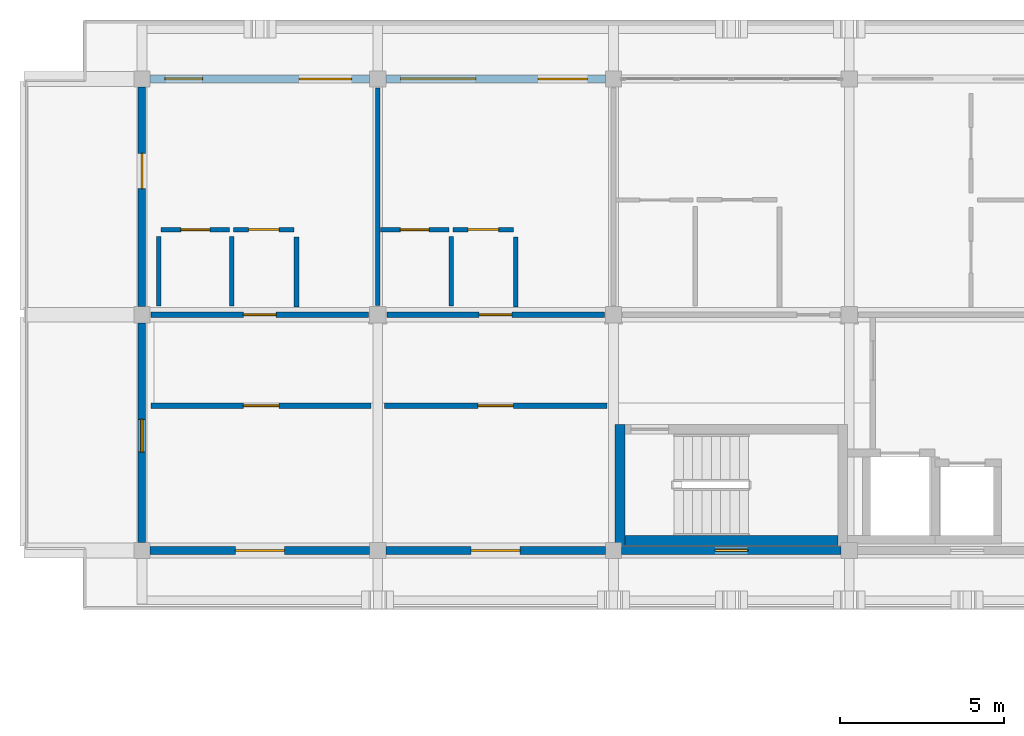
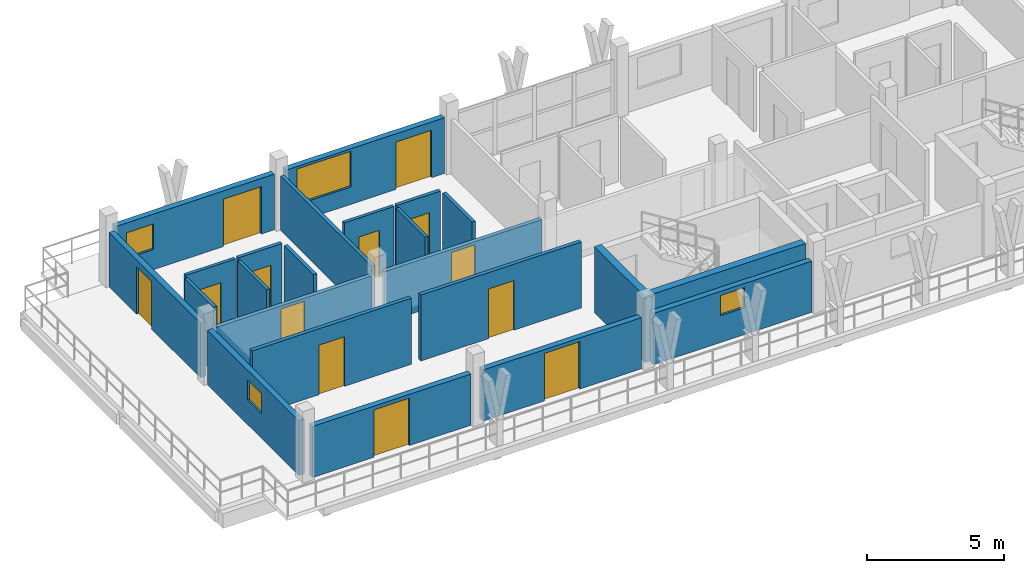
# One storey, part 19 of 32: 23 walls, 13 doors, 4 windows, 17 openings.
"""IFC4 building model written with IfcOpenShell, lengths in metres."""

from ifc_helpers import new_model, si_unit, direction, frame, frame_2d, origin, place, context, subcontext, project, spatial, rectangle, extrude, material, layer, layer_set, type_object, element, fill, save


model = new_model("IFC4")

# Units and contexts
model_context = context("Model", 3, precision=1e-05, world=origin(), true_north=direction((0.0, 1.0)))
body_context = subcontext(model_context, "Body", "Model", "MODEL_VIEW")
ifc_project = project(units=[si_unit("LENGTHUNIT", "METRE"), si_unit("AREAUNIT", "SQUARE_METRE"), si_unit("VOLUMEUNIT", "CUBIC_METRE"), si_unit("PLANEANGLEUNIT", "RADIAN"), si_unit("MASSUNIT", "GRAM", prefix="KILO")], contexts=[model_context])

# Site, building, storey
site_placement = place(None, origin())
site = spatial("IfcSite", under=ifc_project, at=site_placement, CompositionType="ELEMENT")
building_placement = place(site_placement, origin())
building = spatial("IfcBuilding", under=site, at=building_placement, Name="Suanplinth Sawtooth Commons", CompositionType="ELEMENT")
storey_placement = place(building_placement, frame((0.0, 0.0, 41.199951171875)))
storey = spatial("IfcBuildingStorey", under=building, at=storey_placement, Name="L12", CompositionType="ELEMENT", Elevation=41.199951171875)

# Walls
ifc_material_1 = material(Name="Concrete C40/50", Category="concrete")
ifc_layer_1 = layer(ifc_material_1, 0.300048828125, Name="Standard RC stair and lift core wall 300mm")
ifc_layer_set_1 = layer_set([ifc_layer_1], Name="Concrete C40/50")
wall_type_1 = type_object("IfcWallType", Name="W-CR02", PredefinedType="SHEAR", material=ifc_layer_set_1)
wall_1_placement = place(storey_placement, frame((43.550048828125, 108.300048828125, 0.0), z_axis=(0.0, 0.0, 1.0), x_axis=(1.0, 0.0, 0.0)))
element("IfcWall", 1, at=wall_1_placement, inside=storey, type_object=wall_type_1, Name="W-L12-C-A1-STS", PredefinedType="SHEAR", context=body_context, shape_type="SweptSolid", body=[
    extrude(rectangle(XDim=6.5, YDim=0.300048828125, at=frame_2d((3.25, 0.0))), origin(), (0.0, 0.0, 1.0), 2.949951171875),
])
wall_2_placement = place(storey_placement, frame((43.39990234375, 108.14990234375, 0.0), z_axis=(0.0, 0.0, 1.0), x_axis=(0.0, 1.0, 0.0)))
element("IfcWall", 2, at=wall_2_placement, inside=storey, type_object=wall_type_1, Name="W-L12-C-A1-STW", PredefinedType="SHEAR", context=body_context, shape_type="SweptSolid", body=[
    extrude(rectangle(XDim=3.7001953125, YDim=0.300048828125, at=frame_2d((1.85009765625, 0.0))), origin(), (0.0, 0.0, 1.0), 2.949951171875),
])

# Wall, openings, door, window
ifc_material_2 = material(Name="Precast concrete C40/50", Category="concrete")
ifc_layer_2 = layer(ifc_material_2, 0.239990234375, Name="Upper insulated precast facade wall 240mm")
ifc_layer_set_2 = layer_set([ifc_layer_2], Name="Precast concrete C40/50")
wall_type_2 = type_object("IfcWallType", Name="W-EX03", PredefinedType="ELEMENTEDWALL", material=ifc_layer_set_2)
wall_3_placement = place(storey_placement, frame((29.050048828125, 122.39990234375, 0.0), z_axis=(0.0, 0.0, 1.0), x_axis=(1.0, 0.0, 0.0)))
wall_3 = element("IfcWall", 3, at=wall_3_placement, inside=storey, type_object=wall_type_2, Name="Facade Wall W-L12-A-N-0", PredefinedType="ELEMENTEDWALL", context=body_context, shape_type="SweptSolid", body=[
    extrude(rectangle(XDim=6.699951171875, YDim=0.239990234375, at=frame_2d((3.35009765625, 0.0))), origin(), (0.0, 0.0, 1.0), 2.485107421875),
])
opening_1_placement = place(wall_3_placement, frame((4.550048828125, 0.0, 0.0)))
opening_1 = element("IfcOpeningElement", 4, at=opening_1_placement, cuts=wall_3, Name="Opening ED0807", PredefinedType="OPENING", context=body_context, shape_type="SweptSolid", body=[
    extrude(rectangle(XDim=1.60009765625, YDim=2.1201171875, at=frame_2d((0.800048828125, 1.06005859375))), frame((0.0, 0.134765625, 0.0), z_axis=(0.0, -1.0, 0.0), x_axis=(1.0, 0.0, 0.0)), (0.0, 0.0, 1.0), 0.269775390625),
])
opening_2_placement = place(wall_3_placement, frame((0.449951171875, 0.0, 0.89990234375)))
opening_2 = element("IfcOpeningElement", 5, at=opening_2_placement, cuts=wall_3, Name="Opening W0889", PredefinedType="OPENING", context=body_context, shape_type="SweptSolid", body=[
    extrude(rectangle(XDim=1.14990234375, YDim=1.14990234375, at=frame_2d((0.574951171875, 0.574951171875))), frame((0.0, 0.134765625, 0.0), z_axis=(0.0, -1.0, 0.0), x_axis=(1.0, 0.0, 0.0)), (0.0, 0.0, 1.0), 0.269775390625),
])
ifc_material_3 = material(Name="Anodized aluminium and low-E glass", Category="aluminium")
door_type_1 = type_object("IfcDoorType", Name="SD-02", OperationType="SLIDING_TO_RIGHT", PredefinedType="DOOR", material=ifc_material_3)
door_1_placement = place(opening_1_placement, frame((1.60009765625, 0.0, 0.0), z_axis=(0.0, 0.0, 1.0), x_axis=(-1.0, 0.0, 0.0)))
door_1 = element("IfcDoor", 6, at=door_1_placement, inside=storey, type_object=door_type_1, Name="Balcony Sliding Door L12-A-N-0", OperationType="SLIDING_TO_RIGHT", OverallHeight=2.1201171875, OverallWidth=1.60009765625, PredefinedType="DOOR", context=body_context, shape_type="SweptSolid", body=[
    extrude(rectangle(XDim=1.60009765625, YDim=2.1201171875, at=frame_2d((0.800048828125, 1.06005859375))), frame((0.0, 0.02490234375, 0.0), z_axis=(0.0, -1.0, 0.0), x_axis=(1.0, 0.0, 0.0)), (0.0, 0.0, 1.0), 0.050048828125),
])
fill(opening_1, door_1)
ifc_material_4 = material(Name="Thermally broken aluminium and low-E double glazing", Category="aluminium")
window_type_1 = type_object("IfcWindowType", Name="WN-20", PartitioningType="SINGLE_PANEL", PredefinedType="WINDOW", material=ifc_material_4)
window_1_placement = place(opening_2_placement, origin())
window_1 = element("IfcWindow", 7, at=window_1_placement, inside=storey, type_object=window_type_1, Name="Window L12-A-N-0", OverallHeight=1.14990234375, OverallWidth=1.14990234375, PartitioningType="SINGLE_PANEL", PredefinedType="WINDOW", context=body_context, shape_type="SweptSolid", body=[
    extrude(rectangle(XDim=1.14990234375, YDim=1.14990234375, at=frame_2d((0.574951171875, 0.574951171875))), frame((0.0, 0.030029296875, 0.0), z_axis=(0.0, -1.0, 0.0), x_axis=(1.0, 0.0, 0.0)), (0.0, 0.0, 1.0), 0.06005859375),
])
fill(opening_2, window_1)

# Wall, opening, door
wall_4_placement = place(storey_placement, frame((29.050048828125, 108.0, 0.0), z_axis=(0.0, 0.0, 1.0), x_axis=(1.0, 0.0, 0.0)))
wall_4 = element("IfcWall", 8, at=wall_4_placement, inside=storey, type_object=wall_type_2, Name="Courtyard Wall W-L12-A-S-0", PredefinedType="ELEMENTEDWALL", context=body_context, shape_type="SweptSolid", body=[
    extrude(rectangle(XDim=6.699951171875, YDim=0.239990234375, at=frame_2d((3.35009765625, 0.0))), origin(), (0.0, 0.0, 1.0), 2.28515625),
])
opening_3_placement = place(wall_4_placement, frame((2.60009765625, 0.0, 0.0)))
opening_3 = element("IfcOpeningElement", 9, at=opening_3_placement, cuts=wall_4, Name="Opening ED0808", PredefinedType="OPENING", context=body_context, shape_type="SweptSolid", body=[
    extrude(rectangle(XDim=1.5, YDim=2.1201171875, at=frame_2d((0.75, 1.06005859375))), frame((0.0, 0.134765625, 0.0), z_axis=(0.0, -1.0, 0.0), x_axis=(1.0, 0.0, 0.0)), (0.0, 0.0, 1.0), 0.269775390625),
])
door_type_2 = type_object("IfcDoorType", Name="SD-03", OperationType="SLIDING_TO_LEFT", PredefinedType="DOOR", material=ifc_material_3)
door_2_placement = place(opening_3_placement, frame((1.5, 0.0, 0.0), z_axis=(0.0, 0.0, 1.0), x_axis=(-1.0, 0.0, 0.0)))
door_2 = element("IfcDoor", 10, at=door_2_placement, inside=storey, type_object=door_type_2, Name="Courtyard Balcony Sliding Door L12-A-S-0", OperationType="SLIDING_TO_LEFT", OverallHeight=2.1201171875, OverallWidth=1.5, PredefinedType="DOOR", context=body_context, shape_type="SweptSolid", body=[
    extrude(rectangle(XDim=1.5, YDim=2.1201171875, at=frame_2d((0.75, 1.06005859375))), frame((0.0, 0.02490234375, 0.0), z_axis=(0.0, -1.0, 0.0), x_axis=(1.0, 0.0, 0.0)), (0.0, 0.0, 1.0), 0.050048828125),
])
fill(opening_3, door_2)

# Wall, openings, door, window
wall_5_placement = place(storey_placement, frame((36.25, 122.39990234375, 0.0), z_axis=(0.0, 0.0, 1.0), x_axis=(1.0, 0.0, 0.0)))
wall_5 = element("IfcWall", 11, at=wall_5_placement, inside=storey, type_object=wall_type_2, Name="Facade Wall W-L12-A-N-1", PredefinedType="ELEMENTEDWALL", context=body_context, shape_type="SweptSolid", body=[
    extrude(rectangle(XDim=6.699951171875, YDim=0.239990234375, at=frame_2d((3.35009765625, 0.0))), origin(), (0.0, 0.0, 1.0), 2.485107421875),
])
opening_4_placement = place(wall_5_placement, frame((4.64990234375, 0.0, 0.0)))
opening_4 = element("IfcOpeningElement", 12, at=opening_4_placement, cuts=wall_5, Name="Opening ED0809", PredefinedType="OPENING", context=body_context, shape_type="SweptSolid", body=[
    extrude(rectangle(XDim=1.5, YDim=2.1201171875, at=frame_2d((0.75, 1.06005859375))), frame((0.0, 0.134765625, 0.0), z_axis=(0.0, -1.0, 0.0), x_axis=(1.0, 0.0, 0.0)), (0.0, 0.0, 1.0), 0.269775390625),
])
opening_5_placement = place(wall_5_placement, frame((0.449951171875, 0.0, 0.77490234375)))
opening_5 = element("IfcOpeningElement", 13, at=opening_5_placement, cuts=wall_5, Name="Opening W0890", PredefinedType="OPENING", context=body_context, shape_type="SweptSolid", body=[
    extrude(rectangle(XDim=2.300048828125, YDim=1.60009765625, at=frame_2d((1.14990234375, 0.800048828125))), frame((0.0, 0.134765625, 0.0), z_axis=(0.0, -1.0, 0.0), x_axis=(1.0, 0.0, 0.0)), (0.0, 0.0, 1.0), 0.269775390625),
])
door_3_placement = place(opening_4_placement, frame((1.5, 0.0, 0.0), z_axis=(0.0, 0.0, 1.0), x_axis=(-1.0, 0.0, 0.0)))
door_3 = element("IfcDoor", 14, at=door_3_placement, inside=storey, type_object=door_type_2, Name="Balcony Sliding Door L12-A-N-1", OperationType="SLIDING_TO_LEFT", OverallHeight=2.1201171875, OverallWidth=1.5, PredefinedType="DOOR", context=body_context, shape_type="SweptSolid", body=[
    extrude(rectangle(XDim=1.5, YDim=2.1201171875, at=frame_2d((0.75, 1.06005859375))), frame((0.0, 0.02490234375, 0.0), z_axis=(0.0, -1.0, 0.0), x_axis=(1.0, 0.0, 0.0)), (0.0, 0.0, 1.0), 0.050048828125),
])
fill(opening_4, door_3)
window_type_2 = type_object("IfcWindowType", Name="WN-21", PartitioningType="TRIPLE_PANEL_VERTICAL", PredefinedType="WINDOW", material=ifc_material_4)
window_2_placement = place(opening_5_placement, origin())
window_2 = element("IfcWindow", 15, at=window_2_placement, inside=storey, type_object=window_type_2, Name="Window L12-A-N-1", OverallHeight=1.60009765625, OverallWidth=2.300048828125, PartitioningType="TRIPLE_PANEL_VERTICAL", PredefinedType="WINDOW", context=body_context, shape_type="SweptSolid", body=[
    extrude(rectangle(XDim=2.300048828125, YDim=1.60009765625, at=frame_2d((1.14990234375, 0.800048828125))), frame((0.0, 0.030029296875, 0.0), z_axis=(0.0, -1.0, 0.0), x_axis=(1.0, 0.0, 0.0)), (0.0, 0.0, 1.0), 0.06005859375),
])
fill(opening_5, window_2)

# Wall, opening, door
wall_6_placement = place(storey_placement, frame((36.25, 108.0, 0.0), z_axis=(0.0, 0.0, 1.0), x_axis=(1.0, 0.0, 0.0)))
wall_6 = element("IfcWall", 16, at=wall_6_placement, inside=storey, type_object=wall_type_2, Name="Courtyard Wall W-L12-A-S-1", PredefinedType="ELEMENTEDWALL", context=body_context, shape_type="SweptSolid", body=[
    extrude(rectangle(XDim=6.699951171875, YDim=0.239990234375, at=frame_2d((3.35009765625, 0.0))), origin(), (0.0, 0.0, 1.0), 2.28515625),
])
opening_6_placement = place(wall_6_placement, frame((2.60009765625, 0.0, 0.0)))
opening_6 = element("IfcOpeningElement", 17, at=opening_6_placement, cuts=wall_6, Name="Opening ED0810", PredefinedType="OPENING", context=body_context, shape_type="SweptSolid", body=[
    extrude(rectangle(XDim=1.5, YDim=2.1201171875, at=frame_2d((0.75, 1.06005859375))), frame((0.0, 0.134765625, 0.0), z_axis=(0.0, -1.0, 0.0), x_axis=(1.0, 0.0, 0.0)), (0.0, 0.0, 1.0), 0.269775390625),
])
door_4_placement = place(opening_6_placement, frame((1.5, 0.0, 0.0), z_axis=(0.0, 0.0, 1.0), x_axis=(-1.0, 0.0, 0.0)))
door_4 = element("IfcDoor", 18, at=door_4_placement, inside=storey, type_object=door_type_2, Name="Courtyard Balcony Sliding Door L12-A-S-1", OperationType="SLIDING_TO_LEFT", OverallHeight=2.1201171875, OverallWidth=1.5, PredefinedType="DOOR", context=body_context, shape_type="SweptSolid", body=[
    extrude(rectangle(XDim=1.5, YDim=2.1201171875, at=frame_2d((0.75, 1.06005859375))), frame((0.0, 0.02490234375, 0.0), z_axis=(0.0, -1.0, 0.0), x_axis=(1.0, 0.0, 0.0)), (0.0, 0.0, 1.0), 0.050048828125),
])
fill(opening_6, door_4)

# Wall, opening, window
wall_7_placement = place(storey_placement, frame((43.449951171875, 108.0, 0.0), z_axis=(0.0, 0.0, 1.0), x_axis=(1.0, 0.0, 0.0)))
wall_7 = element("IfcWall", 19, at=wall_7_placement, inside=storey, type_object=wall_type_2, Name="Courtyard Wall W-L12-A-S-2", PredefinedType="ELEMENTEDWALL", context=body_context, shape_type="SweptSolid", body=[
    extrude(rectangle(XDim=6.699951171875, YDim=0.239990234375, at=frame_2d((3.35009765625, 0.0))), origin(), (0.0, 0.0, 1.0), 2.28515625),
])
opening_7_placement = place(wall_7_placement, frame((2.85009765625, 0.0, 1.199951171875)))
opening_7 = element("IfcOpeningElement", 20, at=opening_7_placement, cuts=wall_7, Name="Opening W0891", PredefinedType="OPENING", context=body_context, shape_type="SweptSolid", body=[
    extrude(rectangle(XDim=1.0, YDim=0.89990234375, at=frame_2d((0.5, 0.449951171875))), frame((0.0, 0.134765625, 0.0), z_axis=(0.0, -1.0, 0.0), x_axis=(1.0, 0.0, 0.0)), (0.0, 0.0, 1.0), 0.269775390625),
])
window_type_3 = type_object("IfcWindowType", Name="WN-12", PartitioningType="SINGLE_PANEL", PredefinedType="WINDOW", material=ifc_material_4)
window_3_placement = place(opening_7_placement, origin())
window_3 = element("IfcWindow", 21, at=window_3_placement, inside=storey, type_object=window_type_3, Name="Core Daylight Window L12-A-2", OverallHeight=0.89990234375, OverallWidth=1.0, PartitioningType="SINGLE_PANEL", PredefinedType="WINDOW", context=body_context, shape_type="SweptSolid", body=[
    extrude(rectangle(XDim=1.0, YDim=0.89990234375, at=frame_2d((0.5, 0.449951171875))), frame((0.0, 0.030029296875, 0.0), z_axis=(0.0, -1.0, 0.0), x_axis=(1.0, 0.0, 0.0)), (0.0, 0.0, 1.0), 0.06005859375),
])
fill(opening_7, window_3)

ifc_layer_3 = layer(ifc_material_2, 0.22998046875, Name="Stepped terrace insulated precast wall 230mm")
ifc_layer_set_3 = layer_set([ifc_layer_3], Name="Precast concrete C40/50")
wall_type_3 = type_object("IfcWallType", Name="W-EX06", PredefinedType="ELEMENTEDWALL", material=ifc_layer_set_3)
wall_8_placement = place(storey_placement, frame((28.800048828125, 108.25, 0.0), z_axis=(0.0, 0.0, 1.0), x_axis=(0.0, 1.0, 0.0)))
wall_8 = element("IfcWall", 22, at=wall_8_placement, inside=storey, type_object=wall_type_3, Name="End Wall W-L12-A-W-15", PredefinedType="ELEMENTEDWALL", context=body_context, shape_type="SweptSolid", body=[
    extrude(rectangle(XDim=6.699951171875, YDim=0.22998046875, at=frame_2d((3.35009765625, 0.0))), origin(), (0.0, 0.0, 1.0), 2.43505859375),
])
opening_8_placement = place(wall_8_placement, frame((2.75, 0.0, 1.10009765625)))
opening_8 = element("IfcOpeningElement", 23, at=opening_8_placement, cuts=wall_8, Name="Opening W0899", PredefinedType="OPENING", context=body_context, shape_type="SweptSolid", body=[
    extrude(rectangle(XDim=1.0, YDim=0.89990234375, at=frame_2d((0.5, 0.449951171875))), frame((0.0, 0.1298828125, 0.0), z_axis=(0.0, -1.0, 0.0), x_axis=(1.0, 0.0, 0.0)), (0.0, 0.0, 1.0), 0.259765625),
])
window_4_placement = place(opening_8_placement, origin())
window_4 = element("IfcWindow", 24, at=window_4_placement, inside=storey, type_object=window_type_3, Name="End Window L12-A-W-15", OverallHeight=0.89990234375, OverallWidth=1.0, PartitioningType="SINGLE_PANEL", PredefinedType="WINDOW", context=body_context, shape_type="SweptSolid", body=[
    extrude(rectangle(XDim=1.0, YDim=0.89990234375, at=frame_2d((0.5, 0.449951171875))), frame((0.0, 0.030029296875, 0.0), z_axis=(0.0, -1.0, 0.0), x_axis=(1.0, 0.0, 0.0)), (0.0, 0.0, 1.0), 0.06005859375),
])
fill(opening_8, window_4)

# Wall, opening, door
wall_9_placement = place(storey_placement, frame((28.800048828125, 115.449951171875, 0.0), z_axis=(0.0, 0.0, 1.0), x_axis=(0.0, 1.0, 0.0)))
wall_9 = element("IfcWall", 25, at=wall_9_placement, inside=storey, type_object=wall_type_3, Name="End Wall W-L12-A-W-16", PredefinedType="ELEMENTEDWALL", context=body_context, shape_type="SweptSolid", body=[
    extrude(rectangle(XDim=6.699951171875, YDim=0.22998046875, at=frame_2d((3.35009765625, 0.0))), origin(), (0.0, 0.0, 1.0), 2.43505859375),
])
opening_9_placement = place(wall_9_placement, frame((3.60009765625, 0.0, 0.0)))
opening_9 = element("IfcOpeningElement", 26, at=opening_9_placement, cuts=wall_9, Name="Opening ED0817", PredefinedType="OPENING", context=body_context, shape_type="SweptSolid", body=[
    extrude(rectangle(XDim=1.080078125, YDim=2.1201171875, at=frame_2d((0.5400390625, 1.06005859375))), frame((0.0, 0.1298828125, 0.0), z_axis=(0.0, -1.0, 0.0), x_axis=(1.0, 0.0, 0.0)), (0.0, 0.0, 1.0), 0.259765625),
])
door_type_3 = type_object("IfcDoorType", Name="ED-10", OperationType="NOTDEFINED", PredefinedType="DOOR", material=ifc_material_3)
door_5_placement = place(opening_9_placement, frame((1.080078125, 0.0, 0.0), z_axis=(0.0, 0.0, 1.0), x_axis=(-1.0, 0.0, 0.0)))
door_5 = element("IfcDoor", 27, at=door_5_placement, inside=storey, type_object=door_type_3, Name="L12 Block A W Stepped Terrace Door", OperationType="SINGLE_SWING_RIGHT", OverallHeight=2.1201171875, OverallWidth=1.080078125, PredefinedType="DOOR", context=body_context, shape_type="SweptSolid", body=[
    extrude(rectangle(XDim=1.080078125, YDim=2.1201171875, at=frame_2d((0.5400390625, 1.06005859375))), frame((0.0, 0.02490234375, 0.0), z_axis=(0.0, -1.0, 0.0), x_axis=(1.0, 0.0, 0.0)), (0.0, 0.0, 1.0), 0.050048828125),
])
fill(opening_9, door_5)

ifc_layer_4 = layer(ifc_material_2, 0.159912109375, Name="Fire-rated corridor and lobby wall 160mm")
ifc_layer_set_4 = layer_set([ifc_layer_4], Name="Precast concrete C40/50")
wall_type_4 = type_object("IfcWallType", Name="W-FW01", PredefinedType="PARTITIONING", material=ifc_layer_set_4)
wall_10_placement = place(storey_placement, frame((29.080078125, 115.199951171875, 0.0), z_axis=(0.0, 0.0, 1.0), x_axis=(1.0, 0.0, 0.0)))
wall_10 = element("IfcWall", 28, at=wall_10_placement, inside=storey, type_object=wall_type_4, Name="W-A-L12-U01-COR", PredefinedType="PARTITIONING", context=body_context, shape_type="SweptSolid", body=[
    extrude(rectangle(XDim=6.639892578125, YDim=0.159912109375, at=frame_2d((3.31982421875, 0.0))), origin(), (0.0, 0.0, 1.0), 2.28515625),
])
opening_10_placement = place(wall_10_placement, frame((2.820068359375, 0.0, 0.0)))
opening_10 = element("IfcOpeningElement", 29, at=opening_10_placement, cuts=wall_10, Name="Opening FD1983", PredefinedType="OPENING", context=body_context, shape_type="SweptSolid", body=[
    extrude(rectangle(XDim=1.0, YDim=2.14990234375, at=frame_2d((0.5, 1.074951171875))), frame((0.0, 0.0947265625, 0.0), z_axis=(0.0, -1.0, 0.0), x_axis=(1.0, 0.0, 0.0)), (0.0, 0.0, 1.0), 0.189697265625),
])
ifc_material_5 = material(Name="Teak hardwood fire-rated door assembly", Category="wood")
door_type_4 = type_object("IfcDoorType", Name="FD-03", OperationType="NOTDEFINED", PredefinedType="DOOR", material=ifc_material_5)
door_6_placement = place(opening_10_placement, origin())
door_6 = element("IfcDoor", 30, at=door_6_placement, inside=storey, type_object=door_type_4, Name="Unit Entrance Door FD1983", OperationType="SINGLE_SWING_LEFT", OverallHeight=2.14990234375, OverallWidth=1.0, PredefinedType="DOOR", context=body_context, shape_type="SweptSolid", body=[
    extrude(rectangle(XDim=1.0, YDim=2.14990234375, at=frame_2d((0.5, 1.074951171875))), frame((0.0, 0.02490234375, 0.0), z_axis=(0.0, -1.0, 0.0), x_axis=(1.0, 0.0, 0.0)), (0.0, 0.0, 1.0), 0.050048828125),
])
fill(opening_10, door_6)

wall_11_placement = place(storey_placement, frame((36.280029296875, 115.199951171875, 0.0), z_axis=(0.0, 0.0, 1.0), x_axis=(1.0, 0.0, 0.0)))
wall_11 = element("IfcWall", 31, at=wall_11_placement, inside=storey, type_object=wall_type_4, Name="W-A-L12-U02-COR", PredefinedType="PARTITIONING", context=body_context, shape_type="SweptSolid", body=[
    extrude(rectangle(XDim=6.639892578125, YDim=0.159912109375, at=frame_2d((3.31982421875, 0.0))), origin(), (0.0, 0.0, 1.0), 2.28515625),
])
opening_11_placement = place(wall_11_placement, frame((2.820068359375, 0.0, 0.0)))
opening_11 = element("IfcOpeningElement", 32, at=opening_11_placement, cuts=wall_11, Name="Opening FD1986", PredefinedType="OPENING", context=body_context, shape_type="SweptSolid", body=[
    extrude(rectangle(XDim=1.0, YDim=2.14990234375, at=frame_2d((0.5, 1.074951171875))), frame((0.0, 0.0947265625, 0.0), z_axis=(0.0, -1.0, 0.0), x_axis=(1.0, 0.0, 0.0)), (0.0, 0.0, 1.0), 0.189697265625),
])
door_7_placement = place(opening_11_placement, origin())
door_7 = element("IfcDoor", 33, at=door_7_placement, inside=storey, type_object=door_type_4, Name="Unit Entrance Door FD1986", OperationType="SINGLE_SWING_RIGHT", OverallHeight=2.14990234375, OverallWidth=1.0, PredefinedType="DOOR", context=body_context, shape_type="SweptSolid", body=[
    extrude(rectangle(XDim=1.0, YDim=2.14990234375, at=frame_2d((0.5, 1.074951171875))), frame((0.0, 0.02490234375, 0.0), z_axis=(0.0, -1.0, 0.0), x_axis=(1.0, 0.0, 0.0)), (0.0, 0.0, 1.0), 0.050048828125),
])
fill(opening_11, door_7)

wall_12_placement = place(storey_placement, frame((29.080078125, 112.419921875, 0.0), z_axis=(0.0, 0.0, 1.0), x_axis=(1.0, 0.0, 0.0)))
wall_12 = element("IfcWall", 34, at=wall_12_placement, inside=storey, type_object=wall_type_4, Name="W-A-L12-COURTROOM-7-COR", PredefinedType="PARTITIONING", context=body_context, shape_type="SweptSolid", body=[
    extrude(rectangle(XDim=6.719970703125, YDim=0.159912109375, at=frame_2d((3.35986328125, 0.0))), origin(), (0.0, 0.0, 1.0), 2.949951171875),
])
opening_12_placement = place(wall_12_placement, frame((2.820068359375, 0.0, 0.0)))
opening_12 = element("IfcOpeningElement", 35, at=opening_12_placement, cuts=wall_12, Name="Opening D2006", PredefinedType="OPENING", context=body_context, shape_type="SweptSolid", body=[
    extrude(rectangle(XDim=1.080078125, YDim=2.219970703125, at=frame_2d((0.5400390625, 1.10986328125))), frame((0.0, 0.0947265625, 0.0), z_axis=(0.0, -1.0, 0.0), x_axis=(1.0, 0.0, 0.0)), (0.0, 0.0, 1.0), 0.189697265625),
])
ifc_material_6 = material(Name="Teak hardwood", Category="wood")
door_type_5 = type_object("IfcDoorType", Name="D-17", OperationType="NOTDEFINED", PredefinedType="DOOR", material=ifc_material_6)
door_8_placement = place(opening_12_placement, frame((1.080078125, 0.0, 0.0), z_axis=(0.0, 0.0, 1.0), x_axis=(-1.0, 0.0, 0.0)))
door_8 = element("IfcDoor", 36, at=door_8_placement, inside=storey, type_object=door_type_5, Name="Study Studio Door D2006", OperationType="SINGLE_SWING_RIGHT", OverallHeight=2.219970703125, OverallWidth=1.080078125, PredefinedType="DOOR", context=body_context, shape_type="SweptSolid", body=[
    extrude(rectangle(XDim=1.080078125, YDim=2.219970703125, at=frame_2d((0.5400390625, 1.10986328125))), frame((0.0, 0.02490234375, 0.0), z_axis=(0.0, -1.0, 0.0), x_axis=(1.0, 0.0, 0.0)), (0.0, 0.0, 1.0), 0.050048828125),
])
fill(opening_12, door_8)

wall_13_placement = place(storey_placement, frame((36.199951171875, 112.419921875, 0.0), z_axis=(0.0, 0.0, 1.0), x_axis=(1.0, 0.0, 0.0)))
wall_13 = element("IfcWall", 37, at=wall_13_placement, inside=storey, type_object=wall_type_4, Name="W-A-L12-COURTROOM-8-COR", PredefinedType="PARTITIONING", context=body_context, shape_type="SweptSolid", body=[
    extrude(rectangle(XDim=6.800048828125, YDim=0.159912109375, at=frame_2d((3.39990234375, 0.0))), origin(), (0.0, 0.0, 1.0), 2.949951171875),
])
opening_13_placement = place(wall_13_placement, frame((2.860107421875, 0.0, 0.0)))
opening_13 = element("IfcOpeningElement", 38, at=opening_13_placement, cuts=wall_13, Name="Opening D2007", PredefinedType="OPENING", context=body_context, shape_type="SweptSolid", body=[
    extrude(rectangle(XDim=1.080078125, YDim=2.219970703125, at=frame_2d((0.5400390625, 1.10986328125))), frame((0.0, 0.0947265625, 0.0), z_axis=(0.0, -1.0, 0.0), x_axis=(1.0, 0.0, 0.0)), (0.0, 0.0, 1.0), 0.189697265625),
])
door_9_placement = place(opening_13_placement, frame((1.080078125, 0.0, 0.0), z_axis=(0.0, 0.0, 1.0), x_axis=(-1.0, 0.0, 0.0)))
door_9 = element("IfcDoor", 39, at=door_9_placement, inside=storey, type_object=door_type_5, Name="Study Studio Door D2007", OperationType="SINGLE_SWING_LEFT", OverallHeight=2.219970703125, OverallWidth=1.080078125, PredefinedType="DOOR", context=body_context, shape_type="SweptSolid", body=[
    extrude(rectangle(XDim=1.080078125, YDim=2.219970703125, at=frame_2d((0.5400390625, 1.10986328125))), frame((0.0, 0.02490234375, 0.0), z_axis=(0.0, -1.0, 0.0), x_axis=(1.0, 0.0, 0.0)), (0.0, 0.0, 1.0), 0.050048828125),
])
fill(opening_13, door_9)

# Wall
ifc_layer_5 = layer(ifc_material_2, 0.14990234375, Name="Acoustic precast party demising wall 150mm")
ifc_layer_set_5 = layer_set([ifc_layer_5], Name="Precast concrete C40/50")
wall_type_5 = type_object("IfcWallType", Name="W-FW02", PredefinedType="PARTITIONING", material=ifc_layer_set_5)
wall_14_placement = place(storey_placement, frame((36.0, 115.47998046875, 0.0), z_axis=(0.0, 0.0, 1.0), x_axis=(0.0, 1.0, 0.0)))
element("IfcWall", 40, at=wall_14_placement, inside=storey, type_object=wall_type_5, Name="W-A-L12-U01-PTY", PredefinedType="PARTITIONING", context=body_context, shape_type="SweptSolid", body=[
    extrude(rectangle(XDim=6.64013671875, YDim=0.14990234375, at=frame_2d((3.320068359375, 0.0))), origin(), (0.0, 0.0, 1.0), 2.43505859375),
])

# Wall, opening, door
ifc_material_7 = material(Name="Gypsum plasterboard on steel stud", Category="steel")
ifc_layer_6 = layer(ifc_material_7, 0.139892578125, Name="Fire-rated kitchen partition 140mm")
ifc_layer_set_6 = layer_set([ifc_layer_6], Name="Gypsum plasterboard on steel stud")
wall_type_6 = type_object("IfcWallType", Name="W-PT01", PredefinedType="PARTITIONING", material=ifc_layer_set_6)
wall_15_placement = place(storey_placement, frame((31.60009765625, 117.800048828125, 0.0), z_axis=(0.0, 0.0, 1.0), x_axis=(1.0, 0.0, 0.0)))
wall_15 = element("IfcWall", 41, at=wall_15_placement, inside=storey, type_object=wall_type_6, Name="W-A-L12-U01-KIT1", PredefinedType="PARTITIONING", context=body_context, shape_type="SweptSolid", body=[
    extrude(rectangle(XDim=1.849853515625, YDim=0.139892578125, at=frame_2d((0.9248046875, 0.0))), origin(), (0.0, 0.0, 1.0), 2.949951171875),
])
opening_14_placement = place(wall_15_placement, frame((0.4599609375, 0.0, 0.0)))
opening_14 = element("IfcOpeningElement", 42, at=opening_14_placement, cuts=wall_15, Name="Opening D1985", PredefinedType="OPENING", context=body_context, shape_type="SweptSolid", body=[
    extrude(rectangle(XDim=0.929931640625, YDim=2.139892578125, at=frame_2d((0.46484375, 1.06982421875))), frame((0.0, 0.0849609375, 0.0), z_axis=(0.0, -1.0, 0.0), x_axis=(1.0, 0.0, 0.0)), (0.0, 0.0, 1.0), 0.169677734375),
])
door_type_6 = type_object("IfcDoorType", Name="D-19", OperationType="NOTDEFINED", PredefinedType="DOOR", material=ifc_material_6)
door_10_placement = place(opening_14_placement, frame((0.929931640625, 0.0, 0.0), z_axis=(0.0, 0.0, 1.0), x_axis=(-1.0, 0.0, 0.0)))
door_10 = element("IfcDoor", 43, at=door_10_placement, inside=storey, type_object=door_type_6, Name="Kitchen Door D1985", OperationType="SINGLE_SWING_LEFT", OverallHeight=2.139892578125, OverallWidth=0.929931640625, PredefinedType="DOOR", context=body_context, shape_type="SweptSolid", body=[
    extrude(rectangle(XDim=0.929931640625, YDim=2.139892578125, at=frame_2d((0.46484375, 1.06982421875))), frame((0.0, 0.02490234375, 0.0), z_axis=(0.0, -1.0, 0.0), x_axis=(1.0, 0.0, 0.0)), (0.0, 0.0, 1.0), 0.050048828125),
])
fill(opening_14, door_10)

# Wall
wall_16_placement = place(storey_placement, frame((33.52001953125, 115.429931640625, 0.0), z_axis=(0.0, 0.0, 1.0), x_axis=(0.0, 1.0, 0.0)))
element("IfcWall", 44, at=wall_16_placement, inside=storey, type_object=wall_type_6, Name="W-A-L12-U01-KIT2", PredefinedType="PARTITIONING", context=body_context, shape_type="SweptSolid", body=[
    extrude(rectangle(XDim=2.150146484375, YDim=0.139892578125, at=frame_2d((1.0751953125, 0.0))), origin(), (0.0, 0.0, 1.0), 2.949951171875),
])

# Wall, opening, door
wall_17_placement = place(storey_placement, frame((38.300048828125, 117.800048828125, 0.0), z_axis=(0.0, 0.0, 1.0), x_axis=(1.0, 0.0, 0.0)))
wall_17 = element("IfcWall", 45, at=wall_17_placement, inside=storey, type_object=wall_type_6, Name="W-A-L12-U02-KIT1", PredefinedType="PARTITIONING", context=body_context, shape_type="SweptSolid", body=[
    extrude(rectangle(XDim=1.849853515625, YDim=0.139892578125, at=frame_2d((0.9248046875, 0.0))), origin(), (0.0, 0.0, 1.0), 2.949951171875),
])
opening_15_placement = place(wall_17_placement, frame((0.4599609375, 0.0, 0.0)))
opening_15 = element("IfcOpeningElement", 46, at=opening_15_placement, cuts=wall_17, Name="Opening D1988", PredefinedType="OPENING", context=body_context, shape_type="SweptSolid", body=[
    extrude(rectangle(XDim=0.929931640625, YDim=2.139892578125, at=frame_2d((0.46484375, 1.06982421875))), frame((0.0, 0.0849609375, 0.0), z_axis=(0.0, -1.0, 0.0), x_axis=(1.0, 0.0, 0.0)), (0.0, 0.0, 1.0), 0.169677734375),
])
door_11_placement = place(opening_15_placement, frame((0.929931640625, 0.0, 0.0), z_axis=(0.0, 0.0, 1.0), x_axis=(-1.0, 0.0, 0.0)))
door_11 = element("IfcDoor", 47, at=door_11_placement, inside=storey, type_object=door_type_6, Name="Kitchen Door D1988", OperationType="SINGLE_SWING_RIGHT", OverallHeight=2.139892578125, OverallWidth=0.929931640625, PredefinedType="DOOR", context=body_context, shape_type="SweptSolid", body=[
    extrude(rectangle(XDim=0.929931640625, YDim=2.139892578125, at=frame_2d((0.46484375, 1.06982421875))), frame((0.0, 0.02490234375, 0.0), z_axis=(0.0, -1.0, 0.0), x_axis=(1.0, 0.0, 0.0)), (0.0, 0.0, 1.0), 0.050048828125),
])
fill(opening_15, door_11)

# Wall
wall_18_placement = place(storey_placement, frame((40.219970703125, 115.429931640625, 0.0), z_axis=(0.0, 0.0, 1.0), x_axis=(0.0, 1.0, 0.0)))
element("IfcWall", 48, at=wall_18_placement, inside=storey, type_object=wall_type_6, Name="W-A-L12-U02-KIT2", PredefinedType="PARTITIONING", context=body_context, shape_type="SweptSolid", body=[
    extrude(rectangle(XDim=2.150146484375, YDim=0.139892578125, at=frame_2d((1.0751953125, 0.0))), origin(), (0.0, 0.0, 1.0), 2.949951171875),
])

# Wall, opening, door
ifc_layer_7 = layer(ifc_material_7, 0.1298828125, Name="Moisture-resistant bathroom partition 130mm")
ifc_layer_set_7 = layer_set([ifc_layer_7], Name="Gypsum plasterboard on steel stud")
wall_type_7 = type_object("IfcWallType", Name="W-PT02", PredefinedType="PARTITIONING", material=ifc_layer_set_7)
wall_19_placement = place(storey_placement, frame((29.3798828125, 117.794921875, 0.0), z_axis=(0.0, 0.0, 1.0), x_axis=(1.0, 0.0, 0.0)))
wall_19 = element("IfcWall", 49, at=wall_19_placement, inside=storey, type_object=wall_type_7, Name="W-A-L12-U01-BTH1", PredefinedType="PARTITIONING", context=body_context, shape_type="SweptSolid", body=[
    extrude(rectangle(XDim=2.10009765625, YDim=0.1298828125, at=frame_2d((1.050048828125, 0.0))), origin(), (0.0, 0.0, 1.0), 2.949951171875),
])
opening_16_placement = place(wall_19_placement, frame((0.610107421875, 0.0, 0.0)))
opening_16 = element("IfcOpeningElement", 50, at=opening_16_placement, cuts=wall_19, Name="Opening D1984", PredefinedType="OPENING", context=body_context, shape_type="SweptSolid", body=[
    extrude(rectangle(XDim=0.8798828125, YDim=2.10009765625, at=frame_2d((0.43994140625, 1.050048828125))), frame((0.0, 0.079833984375, 0.0), z_axis=(0.0, -1.0, 0.0), x_axis=(1.0, 0.0, 0.0)), (0.0, 0.0, 1.0), 0.15966796875),
])
door_type_7 = type_object("IfcDoorType", Name="D-14", OperationType="NOTDEFINED", PredefinedType="DOOR", material=ifc_material_6)
door_12_placement = place(opening_16_placement, frame((0.8798828125, 0.0, 0.0), z_axis=(0.0, 0.0, 1.0), x_axis=(-1.0, 0.0, 0.0)))
door_12 = element("IfcDoor", 51, at=door_12_placement, inside=storey, type_object=door_type_7, Name="Bathroom Door D1984", OperationType="SINGLE_SWING_RIGHT", OverallHeight=2.10009765625, OverallWidth=0.8798828125, PredefinedType="DOOR", context=body_context, shape_type="SweptSolid", body=[
    extrude(rectangle(XDim=0.8798828125, YDim=2.10009765625, at=frame_2d((0.43994140625, 1.050048828125))), frame((0.0, 0.02490234375, 0.0), z_axis=(0.0, -1.0, 0.0), x_axis=(1.0, 0.0, 0.0)), (0.0, 0.0, 1.0), 0.050048828125),
])
fill(opening_16, door_12)

# Walls
for number, where, z_axis, x_axis, name in (
    (52, (31.544921875, 115.4599609375, 0.0), (0.0, 0.0, 1.0), (0.0, 1.0, 0.0), "W-A-L12-U01-BTH2"),
    (53, (29.31494140625, 115.4599609375, 0.0), (0.0, 0.0, 1.0), (0.0, 1.0, 0.0), "W-A-L12-U01-BTH3"),
):
    element("IfcWall", number, at=place(storey_placement, frame(where, z_axis=z_axis, x_axis=x_axis)), inside=storey, type_object=wall_type_7, Name=name, PredefinedType="PARTITIONING", context=body_context, shape_type="SweptSolid", body=[
        extrude(rectangle(XDim=2.130126953125, YDim=0.1298828125, at=frame_2d((1.06494140625, 0.0))), origin(), (0.0, 0.0, 1.0), 2.949951171875),
    ])

# Wall, opening, door
wall_20_placement = place(storey_placement, frame((36.080078125, 117.794921875, 0.0), z_axis=(0.0, 0.0, 1.0), x_axis=(1.0, 0.0, 0.0)))
wall_20 = element("IfcWall", 54, at=wall_20_placement, inside=storey, type_object=wall_type_7, Name="W-A-L12-U02-BTH1", PredefinedType="PARTITIONING", context=body_context, shape_type="SweptSolid", body=[
    extrude(rectangle(XDim=2.099853515625, YDim=0.1298828125, at=frame_2d((1.0498046875, 0.0))), origin(), (0.0, 0.0, 1.0), 2.949951171875),
])
opening_17_placement = place(wall_20_placement, frame((0.610107421875, 0.0, 0.0)))
opening_17 = element("IfcOpeningElement", 55, at=opening_17_placement, cuts=wall_20, Name="Opening D1987", PredefinedType="OPENING", context=body_context, shape_type="SweptSolid", body=[
    extrude(rectangle(XDim=0.8798828125, YDim=2.10009765625, at=frame_2d((0.43994140625, 1.050048828125))), frame((0.0, 0.079833984375, 0.0), z_axis=(0.0, -1.0, 0.0), x_axis=(1.0, 0.0, 0.0)), (0.0, 0.0, 1.0), 0.15966796875),
])
door_13_placement = place(opening_17_placement, frame((0.8798828125, 0.0, 0.0), z_axis=(0.0, 0.0, 1.0), x_axis=(-1.0, 0.0, 0.0)))
door_13 = element("IfcDoor", 56, at=door_13_placement, inside=storey, type_object=door_type_7, Name="Bathroom Door D1987", OperationType="SINGLE_SWING_LEFT", OverallHeight=2.10009765625, OverallWidth=0.8798828125, PredefinedType="DOOR", context=body_context, shape_type="SweptSolid", body=[
    extrude(rectangle(XDim=0.8798828125, YDim=2.10009765625, at=frame_2d((0.43994140625, 1.050048828125))), frame((0.0, 0.02490234375, 0.0), z_axis=(0.0, -1.0, 0.0), x_axis=(1.0, 0.0, 0.0)), (0.0, 0.0, 1.0), 0.050048828125),
])
fill(opening_17, door_13)

# Wall
wall_21_placement = place(storey_placement, frame((38.2451171875, 115.4599609375, 0.0), z_axis=(0.0, 0.0, 1.0), x_axis=(0.0, 1.0, 0.0)))
element("IfcWall", 57, at=wall_21_placement, inside=storey, type_object=wall_type_7, Name="W-A-L12-U02-BTH2", PredefinedType="PARTITIONING", context=body_context, shape_type="SweptSolid", body=[
    extrude(rectangle(XDim=2.130126953125, YDim=0.1298828125, at=frame_2d((1.06494140625, 0.0))), origin(), (0.0, 0.0, 1.0), 2.949951171875),
])

save(model, "model.ifc")
